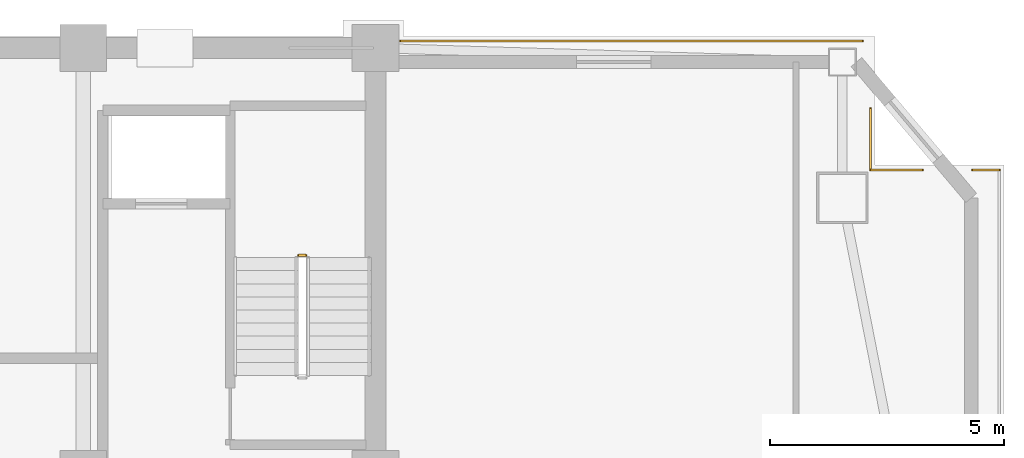
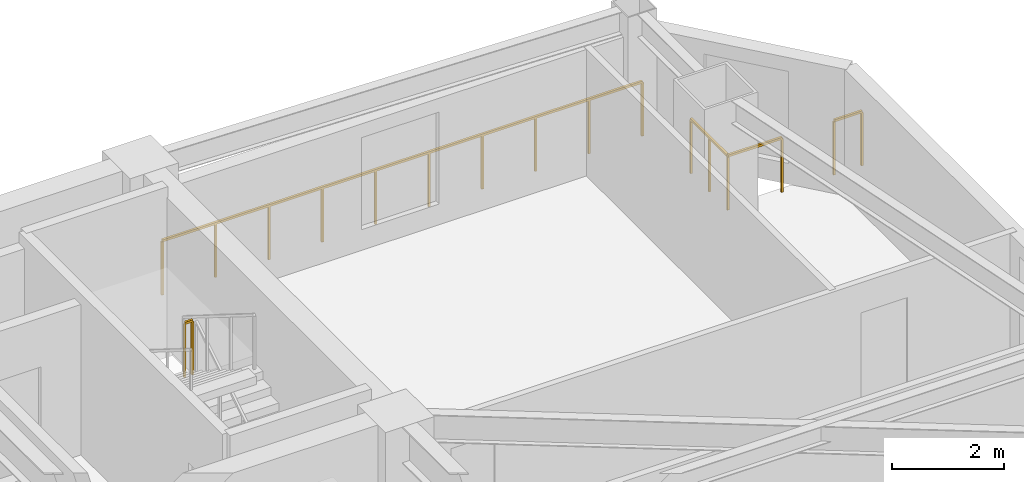
# One storey, part 17 of 17: 5 railings.
"""IFC4 building model written with IfcOpenShell, lengths in metres."""

from ifc_helpers import new_model, si_unit, direction, frame, origin, origin_2d, place, context, subcontext, project, spatial, rectangle, extrude, material, type_object, element, save


model = new_model("IFC4")

# Units and contexts
model_context = context("Model", 3, precision=1e-05, world=origin(), true_north=direction((0.0, 1.0)))
body_context = subcontext(model_context, "Body", "Model", "MODEL_VIEW")
ifc_project = project(units=[si_unit("LENGTHUNIT", "METRE"), si_unit("AREAUNIT", "SQUARE_METRE"), si_unit("VOLUMEUNIT", "CUBIC_METRE"), si_unit("PLANEANGLEUNIT", "RADIAN"), si_unit("MASSUNIT", "GRAM", prefix="KILO")], contexts=[model_context])

# Site, building, storey
site_placement = place(None, origin())
site = spatial("IfcSite", under=ifc_project, at=site_placement, CompositionType="ELEMENT")
building_placement = place(site_placement, origin())
building = spatial("IfcBuilding", under=site, at=building_placement, Name="Giltprow Tower", CompositionType="ELEMENT")
storey_placement = place(building_placement, frame((0.0, 0.0, 213.199951171875)))
storey = spatial("IfcBuildingStorey", under=building, at=storey_placement, Name="L54", CompositionType="ELEMENT", Elevation=213.199951171875)

# Railings
ifc_material = material(Name="Anodized bronze", Category="metal")
railing_type_1 = type_object("IfcRailingType", Name="RAIL-BALC-GUARD-1200", PredefinedType="BALUSTRADE", material=ifc_material)
railing_1_placement = place(storey_placement, frame((51.0849609375, 46.699951171875, 0.0)))
element("IfcRailing", 1, at=railing_1_placement, inside=storey, type_object=railing_type_1, Name="L54 Corner Apron Edge Balustrade 18", PredefinedType="BALUSTRADE", context=body_context, shape_type="SweptSolid", body=[
    extrude(rectangle(XDim=0.048095703125, YDim=0.048095703125, at=origin_2d()), frame((0.0, 0.0, 1.17578125), z_axis=(1.0, 0.0, 0.0), x_axis=(0.0, 1.0, 0.0)), (0.0, 0.0, 1.0), 9.873046875),
    extrude(rectangle(XDim=0.0419921875, YDim=0.0419921875, at=origin_2d()), origin(), (0.0, 0.0, 1.0), 1.15185546875),
    extrude(rectangle(XDim=0.0419921875, YDim=0.0419921875, at=origin_2d()), frame((1.096923828125, 0.0, 0.0)), (0.0, 0.0, 1.0), 1.15185546875),
    extrude(rectangle(XDim=0.0419921875, YDim=0.0419921875, at=origin_2d()), frame((2.194091796875, 0.0, 0.0)), (0.0, 0.0, 1.0), 1.15185546875),
    extrude(rectangle(XDim=0.0419921875, YDim=0.0419921875, at=origin_2d()), frame((3.291015625, 0.0, 0.0)), (0.0, 0.0, 1.0), 1.15185546875),
    extrude(rectangle(XDim=0.0419921875, YDim=0.0419921875, at=origin_2d()), frame((4.387939453125, 0.0, 0.0)), (0.0, 0.0, 1.0), 1.15185546875),
    extrude(rectangle(XDim=0.0419921875, YDim=0.0419921875, at=origin_2d()), frame((5.485107421875, 0.0, 0.0)), (0.0, 0.0, 1.0), 1.15185546875),
    extrude(rectangle(XDim=0.0419921875, YDim=0.0419921875, at=origin_2d()), frame((6.58203125, 0.0, 0.0)), (0.0, 0.0, 1.0), 1.15185546875),
    extrude(rectangle(XDim=0.0419921875, YDim=0.0419921875, at=origin_2d()), frame((7.678955078125, 0.0, 0.0)), (0.0, 0.0, 1.0), 1.15185546875),
    extrude(rectangle(XDim=0.0419921875, YDim=0.0419921875, at=origin_2d()), frame((8.776123046875, 0.0, 0.0)), (0.0, 0.0, 1.0), 1.15185546875),
    extrude(rectangle(XDim=0.0419921875, YDim=0.0419921875, at=origin_2d()), frame((9.873046875, 0.0, 0.0)), (0.0, 0.0, 1.0), 1.15185546875),
])
railing_2_placement = place(storey_placement, frame((61.1279296875, 45.260009765625, 0.0)))
element("IfcRailing", 2, at=railing_2_placement, inside=storey, type_object=railing_type_1, Name="L54 Corner Apron Edge Balustrade 19", PredefinedType="BALUSTRADE", context=body_context, shape_type="SweptSolid", body=[
    extrude(rectangle(XDim=0.048095703125, YDim=0.048095703125, at=origin_2d()), frame((0.0, 0.0, 1.17578125), z_axis=(0.0, -1.0, 0.0), x_axis=(1.0, 0.0, 0.0)), (0.0, 0.0, 1.0), 1.31396484375),
    extrude(rectangle(XDim=0.0419921875, YDim=0.0419921875, at=origin_2d()), origin(), (0.0, 0.0, 1.0), 1.15185546875),
    extrude(rectangle(XDim=0.0419921875, YDim=0.0419921875, at=origin_2d()), frame((0.0, -0.656982421875, 0.0)), (0.0, 0.0, 1.0), 1.15185546875),
    extrude(rectangle(XDim=0.0419921875, YDim=0.0419921875, at=origin_2d()), frame((0.0, -1.31396484375, 0.0)), (0.0, 0.0, 1.0), 1.15185546875),
])
railing_3_placement = place(storey_placement, frame((61.1279296875, 43.946044921875, 0.0)))
element("IfcRailing", 3, at=railing_3_placement, inside=storey, type_object=railing_type_1, Name="L54 Corner Apron Edge Balustrade 20", PredefinedType="BALUSTRADE", context=body_context, shape_type="SweptSolid", body=[
    extrude(rectangle(XDim=0.048095703125, YDim=0.048095703125, at=origin_2d()), frame((0.0, 0.0, 1.17578125), z_axis=(1.0, 0.0, 0.0), x_axis=(0.0, 1.0, 0.0)), (0.0, 0.0, 1.0), 1.110107421875),
    extrude(rectangle(XDim=0.0419921875, YDim=0.0419921875, at=origin_2d()), origin(), (0.0, 0.0, 1.0), 1.15185546875),
    extrude(rectangle(XDim=0.0419921875, YDim=0.0419921875, at=origin_2d()), frame((1.110107421875, 0.0, 0.0)), (0.0, 0.0, 1.0), 1.15185546875),
])
railing_4_placement = place(storey_placement, frame((63.31201171875, 43.946044921875, 0.0)))
element("IfcRailing", 4, at=railing_4_placement, inside=storey, type_object=railing_type_1, Name="L54 Corner Apron Edge Balustrade 21", PredefinedType="BALUSTRADE", context=body_context, shape_type="SweptSolid", body=[
    extrude(rectangle(XDim=0.048095703125, YDim=0.048095703125, at=origin_2d()), frame((0.0, 0.0, 1.17578125), z_axis=(1.0, 0.0, 0.0), x_axis=(0.0, 1.0, 0.0)), (0.0, 0.0, 1.0), 0.570068359375),
    extrude(rectangle(XDim=0.0419921875, YDim=0.0419921875, at=origin_2d()), origin(), (0.0, 0.0, 1.0), 1.15185546875),
    extrude(rectangle(XDim=0.0419921875, YDim=0.0419921875, at=origin_2d()), frame((0.570068359375, 0.0, 0.0)), (0.0, 0.0, 1.0), 1.15185546875),
])
railing_type_2 = type_object("IfcRailingType", Name="RAIL-STAIR-GUARD-1200", PredefinedType="GUARDRAIL", material=ifc_material)
railing_5_placement = place(storey_placement, frame((49.06005859375, 42.1201171875, 1.75)))
element("IfcRailing", 5, at=railing_5_placement, inside=storey, type_object=railing_type_2, Name="L54 ST-3 stair guard 2", PredefinedType="GUARDRAIL", context=body_context, shape_type="SweptSolid", body=[
    extrude(rectangle(XDim=0.048095703125, YDim=0.048095703125, at=origin_2d()), frame((0.0, 0.0, 1.17578125), z_axis=(-1.0, 0.0, 0.0), x_axis=(0.0, -1.0, 0.0)), (0.0, 0.0, 1.0), 0.16015625),
    extrude(rectangle(XDim=0.0419921875, YDim=0.0419921875, at=origin_2d()), origin(), (0.0, 0.0, 1.0), 1.15185546875),
    extrude(rectangle(XDim=0.0419921875, YDim=0.0419921875, at=origin_2d()), frame((-0.16015625, 0.0, 0.0)), (0.0, 0.0, 1.0), 1.15185546875),
])

save(model, "model.ifc")
